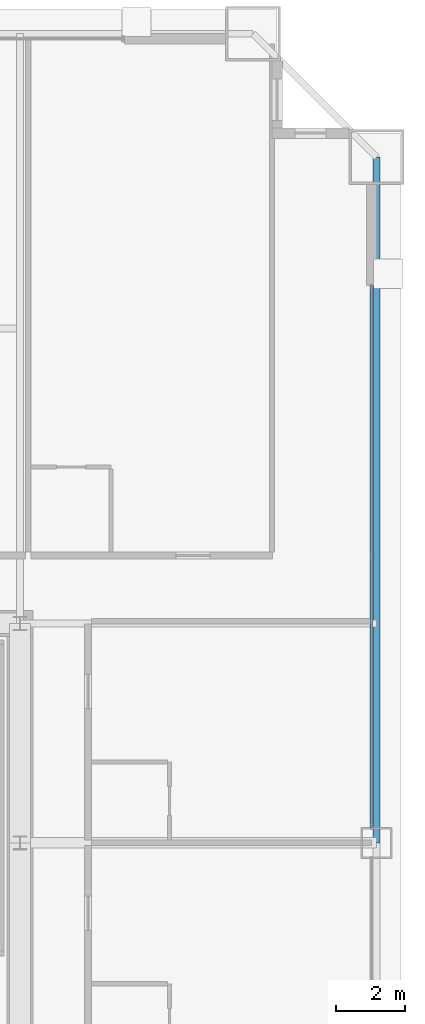
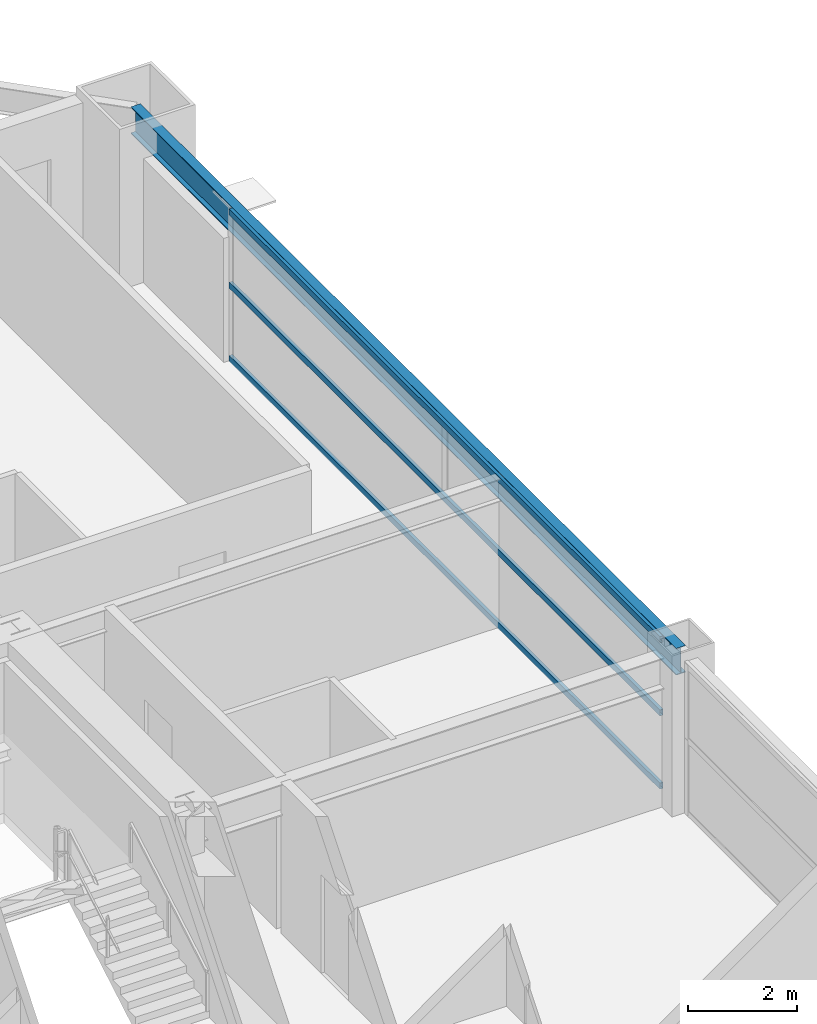
# One storey, part 30 of 39: 3 members, 1 beam, 1 element without a shape of its own.
"""IFC4 building model written with IfcOpenShell, lengths in metres."""

from ifc_helpers import new_model, si_unit, direction, frame, origin, origin_2d, place, context, subcontext, project, spatial, hollow_rectangle, i_section, extrude, source, transform, mapped, material, layer, layer_set, material_profile, profile_set, type_object, element, aggregate, save


model = new_model("IFC4")

# Units and contexts
model_context = context("Model", 3, precision=1e-05, world=origin(), true_north=direction((0.0, 1.0)))
body_context = subcontext(model_context, "Body", "Model", "MODEL_VIEW")
ifc_project = project(units=[si_unit("LENGTHUNIT", "METRE"), si_unit("AREAUNIT", "SQUARE_METRE"), si_unit("VOLUMEUNIT", "CUBIC_METRE"), si_unit("PLANEANGLEUNIT", "RADIAN"), si_unit("MASSUNIT", "GRAM", prefix="KILO"), si_unit("THERMODYNAMICTEMPERATUREUNIT", "KELVIN"), si_unit("POWERUNIT", "WATT")], contexts=[model_context])

# Site, building, storey
site_placement = place(None, origin())
site = spatial("IfcSite", under=ifc_project, at=site_placement, CompositionType="ELEMENT")
building_placement = place(site_placement, origin())
building = spatial("IfcBuilding", under=site, at=building_placement, Name="Yuzanri Waterfront Tower", CompositionType="ELEMENT")
storey_placement = place(building_placement, frame((0.0, 0.0, 134.39990234375)))
storey = spatial("IfcBuildingStorey", under=building, at=storey_placement, Name="L35", CompositionType="ELEMENT", Elevation=134.39990234375)

# Beam
ifc_material_1 = material(Name="Steel Q355B", Category="steel")
ifc_material_profile_1 = material_profile(ifc_material_1, i_section(OverallWidth=0.199951171875, OverallDepth=0.60009765625, WebThickness=0.010986328125, FlangeThickness=0.01708984375, at=origin_2d()), Name="HN 600x200x11x17")
ifc_profile_set_1 = profile_set([ifc_material_profile_1], Name="Steel Q355B")
beam_type = type_object("IfcBeamType", Name="Perimeter Spandrel Q355B HN 600x200", PredefinedType="SPANDREL", material=ifc_profile_set_1)
shared_shape_1 = source(origin(), body_context, "Body", "SweptSolid", [
    extrude(i_section(OverallWidth=0.199951171875, OverallDepth=0.60009765625, WebThickness=0.010986328125, FlangeThickness=0.01708984375, at=origin_2d()), origin(), (0.0, 0.0, 1.0), 20.0),
])
beam_placement = place(storey_placement, frame((60.60009765625, 25.800048828125, 3.080078125), z_axis=(0.0, 1.0, 0.0), x_axis=(-1.0, 0.0, 0.0)))
element("IfcBeam", 1, at=beam_placement, inside=storey, type_object=beam_type, Name="L35 Perimeter Spandrel E2-E3", PredefinedType="SPANDREL", context=body_context, shape_type="MappedRepresentation", body=[
    mapped(shared_shape_1, transform((0.0, 0.0, 0.0), scale=1.0)),
])

# Curtain wall, members
ifc_material_2 = material(Name="Anodized Architectural Bronze", Category="metal")
ifc_layer = layer(ifc_material_2, 0.159912109375)
ifc_layer_set = layer_set([ifc_layer], Name="Anodized Architectural Bronze")
curtain_wall_type = type_object("IfcCurtainWallType", Name="Anodized Bronze Hotel Upper-Tier Solar-Control Unitized Curtain Wall 7800", PredefinedType="NOTDEFINED", material=ifc_layer_set)
curtain_wall_placement = place(storey_placement, origin())
curtain_wall = element("IfcCurtainWall", 2, at=curtain_wall_placement, inside=storey, type_object=curtain_wall_type, Name="L35 Curtain Wall CW-L35-ER", PredefinedType="NOTDEFINED")
ifc_material_3 = material(Name="Anodized Architectural Bronze", Category="metal")
ifc_material_profile_2 = material_profile(ifc_material_3, hollow_rectangle(XDim=0.070068359375, YDim=0.135009765625, WallThickness=0.00341796875, at=origin_2d()), Name="CWT 70x135")
ifc_profile_set_2 = profile_set([ifc_material_profile_2], Name="Anodized Architectural Bronze")
member_type = type_object("IfcMemberType", Name="Anodized Bronze Standard Curtain-Wall Transom 70x135", PredefinedType="USERDEFINED", material=ifc_profile_set_2)
shared_shape_2 = source(origin(), body_context, "Body", "SweptSolid", [
    extrude(hollow_rectangle(XDim=0.070068359375, YDim=0.135009765625, WallThickness=0.00341796875, at=origin_2d()), origin(), (0.0, 0.0, 1.0), 15.800048828125),
])
member_1_placement = place(storey_placement, frame((60.449951171875, 26.25, 0.050048828125), z_axis=(0.0, 1.0, 0.0), x_axis=(-1.0, 0.0, 0.0)))
member_1 = element("IfcMember", 3, at=member_1_placement, type_object=member_type, Name="CW-L35-ER Transom 1", ObjectType="TRANSOM", PredefinedType="USERDEFINED", context=body_context, shape_type="MappedRepresentation", body=[
    mapped(shared_shape_2, transform((0.0, 0.0, 0.0), scale=1.0)),
])
member_2_placement = place(storey_placement, frame((60.449951171875, 26.25, 1.690185546875), z_axis=(0.0, 1.0, 0.0), x_axis=(-1.0, 0.0, 0.0)))
member_2 = element("IfcMember", 4, at=member_2_placement, type_object=member_type, Name="CW-L35-ER Transom 2", ObjectType="TRANSOM", PredefinedType="USERDEFINED", context=body_context, shape_type="MappedRepresentation", body=[
    mapped(shared_shape_2, transform((0.0, 0.0, 0.0), scale=1.0)),
])
member_3_placement = place(storey_placement, frame((60.449951171875, 26.25, 3.330078125), z_axis=(0.0, 1.0, 0.0), x_axis=(-1.0, 0.0, 0.0)))
member_3 = element("IfcMember", 5, at=member_3_placement, type_object=member_type, Name="CW-L35-ER Transom 3", ObjectType="TRANSOM", PredefinedType="USERDEFINED", context=body_context, shape_type="MappedRepresentation", body=[
    mapped(shared_shape_2, transform((0.0, 0.0, 0.0), scale=1.0)),
])
aggregate(curtain_wall, [member_1, member_2, member_3])

save(model, "model.ifc")
